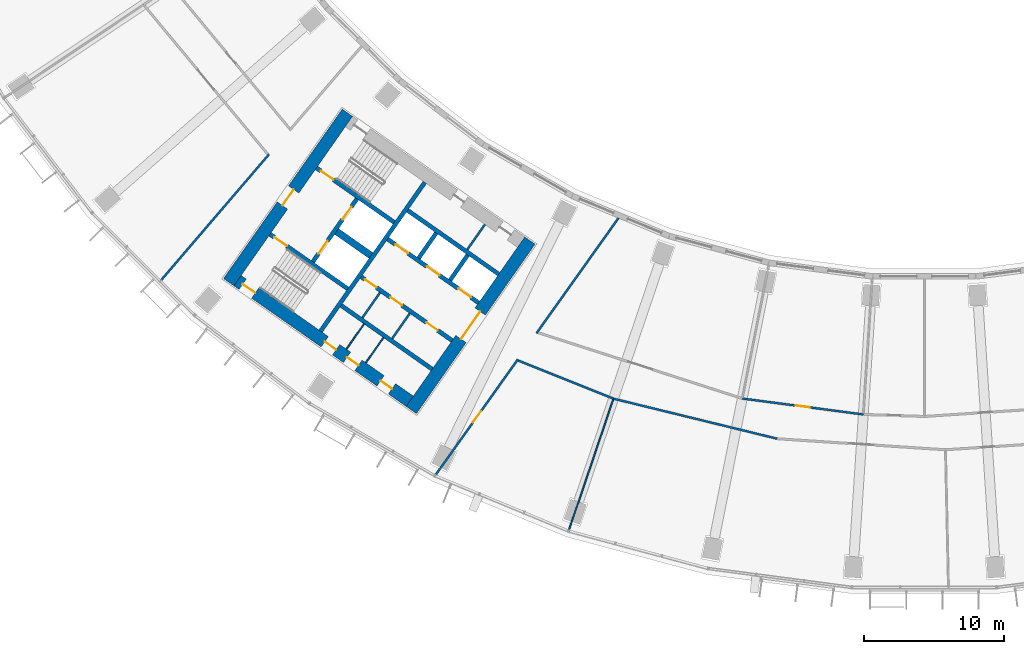
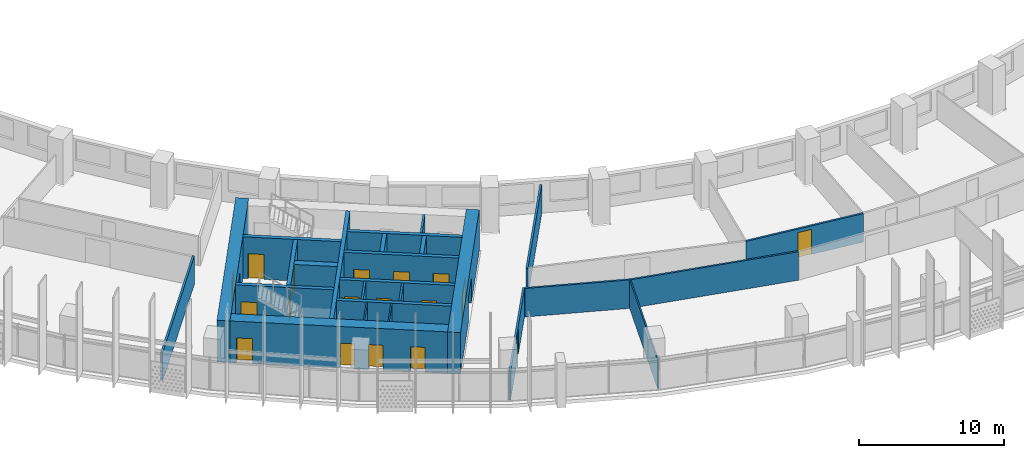
# One storey, part 3 of 33: 26 walls, 18 doors, 18 openings.
"""IFC4 building model written with IfcOpenShell, lengths in metres."""

from ifc_helpers import new_model, si_unit, direction, frame, frame_2d, origin, place, context, subcontext, project, spatial, rectangle, extrude, material, layer, layer_set, type_object, element, fill, save


model = new_model("IFC4")

# Units and contexts
model_context = context("Model", 3, precision=1e-05, world=origin(), true_north=direction((0.0, 1.0)))
body_context = subcontext(model_context, "Body", "Model", "MODEL_VIEW")
ifc_project = project(units=[si_unit("LENGTHUNIT", "METRE"), si_unit("AREAUNIT", "SQUARE_METRE"), si_unit("VOLUMEUNIT", "CUBIC_METRE"), si_unit("PLANEANGLEUNIT", "RADIAN"), si_unit("MASSUNIT", "GRAM", prefix="KILO")], contexts=[model_context])

# Site, building, storey
site_placement = place(None, origin())
site = spatial("IfcSite", under=ifc_project, at=site_placement, CompositionType="ELEMENT")
building_placement = place(site_placement, origin())
building = spatial("IfcBuilding", under=site, at=building_placement, Name="Qamariyya Broadcast Tower", CompositionType="ELEMENT")
storey_placement = place(building_placement, frame((0.0, 0.0, 94.89990234375)))
storey = spatial("IfcBuildingStorey", under=building, at=storey_placement, Name="L20", CompositionType="ELEMENT", Elevation=94.89990234375)

# Wall, opening, door
ifc_material_1 = material(Name="Concrete C70/85", Category="concrete")
ifc_layer_1 = layer(ifc_material_1, 0.89990234375)
ifc_layer_set_1 = layer_set([ifc_layer_1], Name="Core wall 900 mm Concrete C70/85")
wall_type_1 = type_object("IfcWallType", Name="Core wall 900 mm Concrete C70/85", PredefinedType="SHEAR", material=ifc_layer_set_1)
wall_1_placement = place(storey_placement, frame((-36.716796875, -66.3369140625, 0.0), z_axis=(0.0, 0.0, 1.0), x_axis=(0.573577477574, 0.819151315216, 0.0)))
wall_1 = element("IfcWall", 1, at=wall_1_placement, inside=storey, type_object=wall_type_1, Name="k-W-L20-WA", PredefinedType="SHEAR", context=body_context, shape_type="SweptSolid", body=[
    extrude(rectangle(XDim=14.800048828125, YDim=0.89990234375, at=frame_2d((7.39990234375, 0.0))), origin(), (0.0, 0.0, 1.0), 3.5),
])
opening_1_placement = place(wall_1_placement, frame((6.199951171875, 0.0, 0.0)))
opening_1 = element("IfcOpeningElement", 2, at=opening_1_placement, cuts=wall_1, Name="Opening KD3-W1", PredefinedType="OPENING", context=body_context, shape_type="SweptSolid", body=[
    extrude(rectangle(XDim=2.39990234375, YDim=2.10009765625, at=frame_2d((1.199951171875, 1.050048828125))), frame((0.0, 0.4599609375, 0.0), z_axis=(0.0, -1.0, 0.0), x_axis=(1.0, 0.0, 0.0)), (0.0, 0.0, 1.0), 0.919921875),
])
ifc_material_2 = material(Name="Steel fire-resisting door leaf", Category="steel")
door_type_1 = type_object("IfcDoorType", Name="Lift lobby door KD3", OperationType="DOUBLE_DOOR_SINGLE_SWING", PredefinedType="DOOR", material=ifc_material_2)
door_1_placement = place(opening_1_placement, origin())
door_1 = element("IfcDoor", 3, at=door_1_placement, inside=storey, type_object=door_type_1, Name="k-W-L20-WA-D1", OperationType="DOUBLE_DOOR_SINGLE_SWING", OverallHeight=2.10009765625, OverallWidth=2.39990234375, PredefinedType="DOOR", context=body_context, shape_type="SweptSolid", body=[
    extrude(rectangle(XDim=2.39990234375, YDim=2.10009765625, at=frame_2d((1.199951171875, 1.050048828125))), frame((0.0, 0.02490234375, 0.0), z_axis=(0.0, -1.0, 0.0), x_axis=(1.0, 0.0, 0.0)), (0.0, 0.0, 1.0), 0.050048828125),
])
fill(opening_1, door_1)

wall_2_placement = place(storey_placement, frame((-49.778564453125, -57.191162109375, 0.0), z_axis=(0.0, 0.0, 1.0), x_axis=(0.573577477574, 0.819151315216, 0.0)))
wall_2 = element("IfcWall", 4, at=wall_2_placement, inside=storey, type_object=wall_type_1, Name="k-W-L20-WH", PredefinedType="SHEAR", context=body_context, shape_type="SweptSolid", body=[
    extrude(rectangle(XDim=14.800048828125, YDim=0.89990234375, at=frame_2d((7.39990234375, 0.0))), origin(), (0.0, 0.0, 1.0), 3.5),
])
opening_2_placement = place(wall_2_placement, frame((6.699951171875, 0.0, 0.0)))
opening_2 = element("IfcOpeningElement", 5, at=opening_2_placement, cuts=wall_2, Name="Opening KD2-W1", PredefinedType="OPENING", context=body_context, shape_type="SweptSolid", body=[
    extrude(rectangle(XDim=1.39990234375, YDim=2.10009765625, at=frame_2d((0.699951171875, 1.050048828125))), frame((0.0, 0.4599609375, 0.0), z_axis=(0.0, -1.0, 0.0), x_axis=(1.0, 0.0, 0.0)), (0.0, 0.0, 1.0), 0.919921875),
])
door_type_2 = type_object("IfcDoorType", Name="Fire-fighting lobby door KD2", OperationType="DOUBLE_DOOR_SINGLE_SWING", PredefinedType="DOOR", material=ifc_material_2)
door_2_placement = place(opening_2_placement, origin())
door_2 = element("IfcDoor", 6, at=door_2_placement, inside=storey, type_object=door_type_2, Name="k-W-L20-WH-D15", OperationType="DOUBLE_DOOR_SINGLE_SWING", OverallHeight=2.10009765625, OverallWidth=1.39990234375, PredefinedType="DOOR", context=body_context, shape_type="SweptSolid", body=[
    extrude(rectangle(XDim=1.39990234375, YDim=2.10009765625, at=frame_2d((0.699951171875, 1.050048828125))), frame((0.0, 0.02490234375, 0.0), z_axis=(0.0, -1.0, 0.0), x_axis=(1.0, 0.0, 0.0)), (0.0, 0.0, 1.0), 0.050048828125),
])
fill(opening_2, door_2)

# Wall, openings, doors
wall_3_placement = place(storey_placement, frame((-36.827392578125, -65.710205078125, 0.0), z_axis=(0.0, 0.0, 1.0), x_axis=(-0.819153391756, 0.573574511963, 0.0)))
wall_3 = element("IfcWall", 7, at=wall_3_placement, inside=storey, type_object=wall_type_1, Name="k-W-L20-WO", PredefinedType="SHEAR", context=body_context, shape_type="SweptSolid", body=[
    extrude(rectangle(XDim=15.04541015625, YDim=0.89990234375, at=frame_2d((7.522705078125, 0.0))), origin(), (0.0, 0.0, 1.0), 3.5),
])
opening_3_placement = place(wall_3_placement, frame((1.550048828125, 0.0, 0.0)))
opening_3 = element("IfcOpeningElement", 8, at=opening_3_placement, cuts=wall_3, Name="Opening KD4-W2", PredefinedType="OPENING", context=body_context, shape_type="SweptSolid", body=[
    extrude(rectangle(XDim=1.0, YDim=2.10009765625, at=frame_2d((0.5, 1.050048828125))), frame((0.0, 0.4599609375, 0.0), z_axis=(0.0, -1.0, 0.0), x_axis=(1.0, 0.0, 0.0)), (0.0, 0.0, 1.0), 0.919921875),
])
opening_4_placement = place(wall_3_placement, frame((4.47509765625, 0.0, 0.0)))
opening_4 = element("IfcOpeningElement", 9, at=opening_4_placement, cuts=wall_3, Name="Opening KD4-W3", PredefinedType="OPENING", context=body_context, shape_type="SweptSolid", body=[
    extrude(rectangle(XDim=1.0, YDim=2.10009765625, at=frame_2d((0.5, 1.050048828125))), frame((0.0, 0.4599609375, 0.0), z_axis=(0.0, -1.0, 0.0), x_axis=(1.0, 0.0, 0.0)), (0.0, 0.0, 1.0), 0.919921875),
])
opening_5_placement = place(wall_3_placement, frame((6.425048828125, 0.0, 0.0)))
opening_5 = element("IfcOpeningElement", 10, at=opening_5_placement, cuts=wall_3, Name="Opening KD4-W4", PredefinedType="OPENING", context=body_context, shape_type="SweptSolid", body=[
    extrude(rectangle(XDim=1.0, YDim=2.10009765625, at=frame_2d((0.5, 1.050048828125))), frame((0.0, 0.4599609375, 0.0), z_axis=(0.0, -1.0, 0.0), x_axis=(1.0, 0.0, 0.0)), (0.0, 0.0, 1.0), 0.919921875),
])
opening_6_placement = place(wall_3_placement, frame((13.495361328125, 0.0, 0.0)))
opening_6 = element("IfcOpeningElement", 11, at=opening_6_placement, cuts=wall_3, Name="Opening KD1-W3", PredefinedType="OPENING", context=body_context, shape_type="SweptSolid", body=[
    extrude(rectangle(XDim=1.10009765625, YDim=2.10009765625, at=frame_2d((0.550048828125, 1.050048828125))), frame((0.0, 0.4599609375, 0.0), z_axis=(0.0, -1.0, 0.0), x_axis=(1.0, 0.0, 0.0)), (0.0, 0.0, 1.0), 0.919921875),
])
door_type_3 = type_object("IfcDoorType", Name="Riser and plant door KD4", OperationType="SINGLE_SWING_LEFT", PredefinedType="DOOR", material=ifc_material_2)
door_3_placement = place(opening_3_placement, origin())
door_3 = element("IfcDoor", 12, at=door_3_placement, inside=storey, type_object=door_type_3, Name="k-W-L20-WO-D10", OperationType="SINGLE_SWING_LEFT", OverallHeight=2.10009765625, OverallWidth=1.0, PredefinedType="DOOR", context=body_context, shape_type="SweptSolid", body=[
    extrude(rectangle(XDim=1.0, YDim=2.10009765625, at=frame_2d((0.5, 1.050048828125))), frame((0.0, 0.02490234375, 0.0), z_axis=(0.0, -1.0, 0.0), x_axis=(1.0, 0.0, 0.0)), (0.0, 0.0, 1.0), 0.050048828125),
])
fill(opening_3, door_3)
door_4_placement = place(opening_4_placement, origin())
door_4 = element("IfcDoor", 13, at=door_4_placement, inside=storey, type_object=door_type_3, Name="k-W-L20-WO-D11", OperationType="SINGLE_SWING_RIGHT", OverallHeight=2.10009765625, OverallWidth=1.0, PredefinedType="DOOR", context=body_context, shape_type="SweptSolid", body=[
    extrude(rectangle(XDim=1.0, YDim=2.10009765625, at=frame_2d((0.5, 1.050048828125))), frame((0.0, 0.02490234375, 0.0), z_axis=(0.0, -1.0, 0.0), x_axis=(1.0, 0.0, 0.0)), (0.0, 0.0, 1.0), 0.050048828125),
])
fill(opening_4, door_4)
door_5_placement = place(opening_5_placement, origin())
door_5 = element("IfcDoor", 14, at=door_5_placement, inside=storey, type_object=door_type_3, Name="k-W-L20-WO-D12", OperationType="SINGLE_SWING_LEFT", OverallHeight=2.10009765625, OverallWidth=1.0, PredefinedType="DOOR", context=body_context, shape_type="SweptSolid", body=[
    extrude(rectangle(XDim=1.0, YDim=2.10009765625, at=frame_2d((0.5, 1.050048828125))), frame((0.0, 0.02490234375, 0.0), z_axis=(0.0, -1.0, 0.0), x_axis=(1.0, 0.0, 0.0)), (0.0, 0.0, 1.0), 0.050048828125),
])
fill(opening_5, door_5)
door_type_4 = type_object("IfcDoorType", Name="Stair door KD1", OperationType="SINGLE_SWING_LEFT", PredefinedType="DOOR", material=ifc_material_2)
door_6_placement = place(opening_6_placement, origin())
door_6 = element("IfcDoor", 15, at=door_6_placement, inside=storey, type_object=door_type_4, Name="k-W-L20-WO-D18", OperationType="SINGLE_SWING_LEFT", OverallHeight=2.10009765625, OverallWidth=1.10009765625, PredefinedType="DOOR", context=body_context, shape_type="SweptSolid", body=[
    extrude(rectangle(XDim=1.10009765625, YDim=2.10009765625, at=frame_2d((0.550048828125, 1.050048828125))), frame((0.0, 0.02490234375, 0.0), z_axis=(0.0, -1.0, 0.0), x_axis=(1.0, 0.0, 0.0)), (0.0, 0.0, 1.0), 0.050048828125),
])
fill(opening_6, door_6)

# Wall
ifc_material_3 = material(Name="Gypsum board partition")
ifc_layer_2 = layer(ifc_material_3, 0.14990234375)
ifc_layer_set_2 = layer_set([ifc_layer_2], Name="Corridor partition 150 EI 60")
wall_type_2 = type_object("IfcWallType", Name="Corridor partition 150 EI 60", PredefinedType="PARTITIONING", material=ifc_layer_set_2)
wall_4_placement = place(storey_placement, frame((-46.889892578125, -48.03271484375, 0.0), z_axis=(0.0, 0.0, 1.0), x_axis=(-0.650984855328, -0.759090717986, 0.0)))
element("IfcWall", 16, at=wall_4_placement, inside=storey, type_object=wall_type_2, Name="Partition L20-005", PredefinedType="PARTITIONING", context=body_context, shape_type="SweptSolid", body=[
    extrude(rectangle(XDim=11.844970703125, YDim=0.14990234375, at=frame_2d((5.92236328125, 0.0))), origin(), (0.0, 0.0, 1.0), 2.400146484375),
])

# Wall, opening, door
wall_5_placement = place(storey_placement, frame((-29.083984375, -62.710205078125, 0.0), z_axis=(0.0, 0.0, 1.0), x_axis=(-0.580031092611, -0.814594335608, 0.0)))
wall_5 = element("IfcWall", 17, at=wall_5_placement, inside=storey, type_object=wall_type_2, Name="Partition L20-008", PredefinedType="PARTITIONING", context=body_context, shape_type="SweptSolid", body=[
    extrude(rectangle(XDim=10.126220703125, YDim=0.14990234375, at=frame_2d((5.06298828125, 0.0))), origin(), (0.0, 0.0, 1.0), 2.400146484375),
])
opening_7_placement = place(wall_5_placement, frame((4.563232421875, 0.0, 0.0)))
opening_7 = element("IfcOpeningElement", 18, at=opening_7_placement, cuts=wall_5, Name="Opening L20-D01", PredefinedType="OPENING", context=body_context, shape_type="SweptSolid", body=[
    extrude(rectangle(XDim=1.0, YDim=2.10009765625, at=frame_2d((0.5, 1.050048828125))), frame((0.0, 0.0849609375, 0.0), z_axis=(0.0, -1.0, 0.0), x_axis=(1.0, 0.0, 0.0)), (0.0, 0.0, 1.0), 0.169921875),
])
ifc_material_4 = material(Name="Timber fire door leaf", Category="wood")
door_type_5 = type_object("IfcDoorType", Name="Fire door 1000 x 2100 FD60", OperationType="NOTDEFINED", PredefinedType="DOOR", material=ifc_material_4)
door_7_placement = place(opening_7_placement, origin())
door_7 = element("IfcDoor", 19, at=door_7_placement, inside=storey, type_object=door_type_5, Name="Door L20-D01", OperationType="SINGLE_SWING_RIGHT", OverallHeight=2.10009765625, OverallWidth=1.0, PredefinedType="DOOR", context=body_context, shape_type="SweptSolid", body=[
    extrude(rectangle(XDim=1.0, YDim=2.10009765625, at=frame_2d((0.5, 1.050048828125))), frame((0.0, 0.02490234375, 0.0), z_axis=(0.0, -1.0, 0.0), x_axis=(1.0, 0.0, 0.0)), (0.0, 0.0, 1.0), 0.050048828125),
])
fill(opening_7, door_7)

# Walls
wall_6_placement = place(storey_placement, frame((-29.057861328125, -62.799072265625, 0.0), z_axis=(0.0, 0.0, 1.0), x_axis=(0.92834358791, -0.371723261025, 0.0)))
element("IfcWall", 20, at=wall_6_placement, inside=storey, type_object=wall_type_2, Name="Partition L20-009", PredefinedType="PARTITIONING", context=body_context, shape_type="SweptSolid", body=[
    extrude(rectangle(XDim=7.340087890625, YDim=0.14990234375, at=frame_2d((3.669921875, 0.0))), origin(), (0.0, 0.0, 1.0), 2.400146484375),
])
wall_7_placement = place(storey_placement, frame((-22.24365234375, -65.527587890625, 0.0), z_axis=(0.0, 0.0, 1.0), x_axis=(0.971338849689, -0.237699051504, 0.0)))
element("IfcWall", 21, at=wall_7_placement, inside=storey, type_object=wall_type_2, Name="Partition L20-012", PredefinedType="PARTITIONING", context=body_context, shape_type="SweptSolid", body=[
    extrude(rectangle(XDim=12.051025390625, YDim=0.14990234375, at=frame_2d((6.025390625, 0.0))), origin(), (0.0, 0.0, 1.0), 2.400146484375),
])
wall_8_placement = place(storey_placement, frame((-21.8837890625, -52.59765625, 0.0), z_axis=(0.0, 0.0, 1.0), x_axis=(-0.580016763963, -0.814604538118, 0.0)))
element("IfcWall", 22, at=wall_8_placement, inside=storey, type_object=wall_type_2, Name="Partition L20-013", PredefinedType="PARTITIONING", context=body_context, shape_type="SweptSolid", body=[
    extrude(rectangle(XDim=10.12109375, YDim=0.14990234375, at=frame_2d((5.060546875, 0.0))), origin(), (0.0, 0.0, 1.0), 2.400146484375),
])

# Wall, opening, door
wall_9_placement = place(storey_placement, frame((-13.031982421875, -65.516357421875, 0.0), z_axis=(0.0, 0.0, 1.0), x_axis=(0.991443260322, -0.130538352841, 0.0)))
wall_9 = element("IfcWall", 23, at=wall_9_placement, inside=storey, type_object=wall_type_2, Name="Partition L20-014", PredefinedType="PARTITIONING", context=body_context, shape_type="SweptSolid", body=[
    extrude(rectangle(XDim=8.73779296875, YDim=0.14990234375, at=frame_2d((4.368896484375, 0.0))), origin(), (0.0, 0.0, 1.0), 2.400146484375),
])
opening_8_placement = place(wall_9_placement, frame((3.868896484375, 0.0, 0.0)))
opening_8 = element("IfcOpeningElement", 24, at=opening_8_placement, cuts=wall_9, Name="Opening L20-D07", PredefinedType="OPENING", context=body_context, shape_type="SweptSolid", body=[
    extrude(rectangle(XDim=1.0, YDim=2.10009765625, at=frame_2d((0.5, 1.050048828125))), frame((0.0, 0.0849609375, 0.0), z_axis=(0.0, -1.0, 0.0), x_axis=(1.0, 0.0, 0.0)), (0.0, 0.0, 1.0), 0.169921875),
])
door_8_placement = place(opening_8_placement, origin())
door_8 = element("IfcDoor", 25, at=door_8_placement, inside=storey, type_object=door_type_5, Name="Door L20-D07", OperationType="SINGLE_SWING_RIGHT", OverallHeight=2.10009765625, OverallWidth=1.0, PredefinedType="DOOR", context=body_context, shape_type="SweptSolid", body=[
    extrude(rectangle(XDim=1.0, YDim=2.10009765625, at=frame_2d((0.5, 1.050048828125))), frame((0.0, 0.02490234375, 0.0), z_axis=(0.0, -1.0, 0.0), x_axis=(1.0, 0.0, 0.0)), (0.0, 0.0, 1.0), 0.050048828125),
])
fill(opening_8, door_8)

# Walls
ifc_material_5 = material(Name="Concrete C60/75", Category="concrete")
ifc_layer_3 = layer(ifc_material_5, 0.5)
ifc_layer_set_3 = layer_set([ifc_layer_3], Name="Fire-fighting lobby divider wall 500 mm Concrete C60/75")
wall_type_3 = type_object("IfcWallType", Name="Fire-fighting lobby divider wall 500 mm Concrete C60/75", PredefinedType="SOLIDWALL", material=ifc_layer_set_3)
wall_10_placement = place(storey_placement, frame((-39.59912109375, -55.28515625, 0.0), z_axis=(0.0, 0.0, 1.0), x_axis=(-0.819136323161, 0.573598887793, 0.0)))
element("IfcWall", 26, at=wall_10_placement, inside=storey, type_object=wall_type_3, Name="k-W-L20-FD", PredefinedType="SOLIDWALL", context=body_context, shape_type="SweptSolid", body=[
    extrude(rectangle(XDim=2.999755859375, YDim=0.5, at=frame_2d((1.5, 0.0))), origin(), (0.0, 0.0, 1.0), 3.5),
])
ifc_material_6 = material(Name="Gypsum board partition on steel studs", Category="steel")
ifc_layer_4 = layer(ifc_material_6, 0.14990234375)
ifc_layer_set_4 = layer_set([ifc_layer_4], Name="Gypsum board partition 150 mm")
wall_type_4 = type_object("IfcWallType", Name="Gypsum board partition 150 mm", PredefinedType="PARTITIONING", material=ifc_layer_set_4)
for number, where, z_axis, x_axis, name in (
    (27, (-36.822509765625, -59.4267578125, 0.0), (0.0, 0.0, 1.0), (-0.573507030513, -0.819200638399, 0.0), "k-W-L20-SC360"),
    (28, (-38.9521484375, -57.935546875, 0.0), (0.0, 0.0, 1.0), (-0.573633636671, -0.819111989218, 0.0), "k-W-L20-SC620"),
    (29, (-32.709228515625, -54.860107421875, 0.0), (0.0, 0.0, 1.0), (0.573633636671, 0.819111989218, 0.0), "k-W-L20-NP285"),
):
    element("IfcWall", number, at=place(storey_placement, frame(where, z_axis=z_axis, x_axis=x_axis)), inside=storey, type_object=wall_type_4, Name=name, PredefinedType="PARTITIONING", context=body_context, shape_type="SweptSolid", body=[
        extrude(rectangle(XDim=2.199951171875, YDim=0.14990234375, at=frame_2d((1.10009765625, 0.0))), origin(), (0.0, 0.0, 1.0), 3.5),
    ])
ifc_layer_5 = layer(ifc_material_5, 0.300048828125)
ifc_layer_set_5 = layer_set([ifc_layer_5], Name="Lift shaft wall 300 mm Concrete C60/75")
wall_type_5 = type_object("IfcWallType", Name="Lift shaft wall 300 mm Concrete C60/75", PredefinedType="SOLIDWALL", material=ifc_layer_set_5)
wall_11_placement = place(storey_placement, frame((-43.204345703125, -60.69580078125, 0.0), z_axis=(0.0, 0.0, 1.0), x_axis=(0.573571992966, 0.819155155563, 0.0)))
element("IfcWall", 30, at=wall_11_placement, inside=storey, type_object=wall_type_5, Name="k-W-L20-WL", PredefinedType="SOLIDWALL", context=body_context, shape_type="SweptSolid", body=[
    extrude(rectangle(XDim=13.000244140625, YDim=0.300048828125, at=frame_2d((6.5, 0.0))), origin(), (0.0, 0.0, 1.0), 3.5),
])

# Wall, openings, doors
wall_12_placement = place(storey_placement, frame((-31.89453125, -58.66552734375, 0.0), z_axis=(0.0, 0.0, 1.0), x_axis=(-0.819166993208, 0.573555086491, 0.0)))
wall_12 = element("IfcWall", 31, at=wall_12_placement, inside=storey, type_object=wall_type_5, Name="k-W-L20-NF0", PredefinedType="SOLIDWALL", context=body_context, shape_type="SweptSolid", body=[
    extrude(rectangle(XDim=7.9501953125, YDim=0.300048828125, at=frame_2d((3.97509765625, 0.0))), origin(), (0.0, 0.0, 1.0), 3.5),
])
opening_9_placement = place(wall_12_placement, frame((0.675048828125, 0.0, 0.0)))
opening_9 = element("IfcOpeningElement", 32, at=opening_9_placement, cuts=wall_12, Name="Opening LD", PredefinedType="OPENING", context=body_context, shape_type="SweptSolid", body=[
    extrude(rectangle(XDim=1.10009765625, YDim=2.10009765625, at=frame_2d((0.550048828125, 1.050048828125))), frame((0.0, 0.159912109375, 0.0), z_axis=(0.0, -1.0, 0.0), x_axis=(1.0, 0.0, 0.0)), (0.0, 0.0, 1.0), 0.320068359375),
])
opening_10_placement = place(wall_12_placement, frame((3.425048828125, 0.0, 0.0)))
opening_10 = element("IfcOpeningElement", 33, at=opening_10_placement, cuts=wall_12, Name="Opening LD", PredefinedType="OPENING", context=body_context, shape_type="SweptSolid", body=[
    extrude(rectangle(XDim=1.10009765625, YDim=2.10009765625, at=frame_2d((0.550048828125, 1.050048828125))), frame((0.0, 0.159912109375, 0.0), z_axis=(0.0, -1.0, 0.0), x_axis=(1.0, 0.0, 0.0)), (0.0, 0.0, 1.0), 0.320068359375),
])
opening_11_placement = place(wall_12_placement, frame((6.175048828125, 0.0, 0.0)))
opening_11 = element("IfcOpeningElement", 34, at=opening_11_placement, cuts=wall_12, Name="Opening LD", PredefinedType="OPENING", context=body_context, shape_type="SweptSolid", body=[
    extrude(rectangle(XDim=1.10009765625, YDim=2.10009765625, at=frame_2d((0.550048828125, 1.050048828125))), frame((0.0, 0.159912109375, 0.0), z_axis=(0.0, -1.0, 0.0), x_axis=(1.0, 0.0, 0.0)), (0.0, 0.0, 1.0), 0.320068359375),
])
door_type_6 = type_object("IfcDoorType", Name="Lift landing door LD", OperationType="DOUBLE_DOOR_SLIDING", PredefinedType="DOOR", material=ifc_material_2)
door_9_placement = place(opening_9_placement, origin())
door_9 = element("IfcDoor", 35, at=door_9_placement, inside=storey, type_object=door_type_6, Name="k-W-L20-NF0-D2", OperationType="DOUBLE_DOOR_SLIDING", OverallHeight=2.10009765625, OverallWidth=1.10009765625, PredefinedType="DOOR", context=body_context, shape_type="SweptSolid", body=[
    extrude(rectangle(XDim=1.10009765625, YDim=2.10009765625, at=frame_2d((0.550048828125, 1.050048828125))), frame((0.0, 0.02490234375, 0.0), z_axis=(0.0, -1.0, 0.0), x_axis=(1.0, 0.0, 0.0)), (0.0, 0.0, 1.0), 0.050048828125),
])
fill(opening_9, door_9)
door_10_placement = place(opening_10_placement, origin())
door_10 = element("IfcDoor", 36, at=door_10_placement, inside=storey, type_object=door_type_6, Name="k-W-L20-NF0-D3", OperationType="DOUBLE_DOOR_SLIDING", OverallHeight=2.10009765625, OverallWidth=1.10009765625, PredefinedType="DOOR", context=body_context, shape_type="SweptSolid", body=[
    extrude(rectangle(XDim=1.10009765625, YDim=2.10009765625, at=frame_2d((0.550048828125, 1.050048828125))), frame((0.0, 0.02490234375, 0.0), z_axis=(0.0, -1.0, 0.0), x_axis=(1.0, 0.0, 0.0)), (0.0, 0.0, 1.0), 0.050048828125),
])
fill(opening_10, door_10)
door_11_placement = place(opening_11_placement, origin())
door_11 = element("IfcDoor", 37, at=door_11_placement, inside=storey, type_object=door_type_6, Name="k-W-L20-NF0-D4", OperationType="DOUBLE_DOOR_SLIDING", OverallHeight=2.10009765625, OverallWidth=1.10009765625, PredefinedType="DOOR", context=body_context, shape_type="SweptSolid", body=[
    extrude(rectangle(XDim=1.10009765625, YDim=2.10009765625, at=frame_2d((0.550048828125, 1.050048828125))), frame((0.0, 0.02490234375, 0.0), z_axis=(0.0, -1.0, 0.0), x_axis=(1.0, 0.0, 0.0)), (0.0, 0.0, 1.0), 0.050048828125),
])
fill(opening_11, door_11)

# Walls
wall_13_placement = place(storey_placement, frame((-30.460693359375, -56.61767578125, 0.0), z_axis=(0.0, 0.0, 1.0), x_axis=(-0.819142461705, 0.573590121456, 0.0)))
element("IfcWall", 38, at=wall_13_placement, inside=storey, type_object=wall_type_5, Name="k-W-L20-NB0", PredefinedType="SOLIDWALL", context=body_context, shape_type="SweptSolid", body=[
    extrude(rectangle(XDim=7.949951171875, YDim=0.300048828125, at=frame_2d((3.97509765625, 0.0))), origin(), (0.0, 0.0, 1.0), 3.5),
])
wall_14_placement = place(storey_placement, frame((-33.9384765625, -57.051513671875, 0.0), z_axis=(0.0, 0.0, 1.0), x_axis=(0.573581496053, 0.819148501424, 0.0)))
element("IfcWall", 39, at=wall_14_placement, inside=storey, type_object=wall_type_5, Name="k-W-L20-ND0", PredefinedType="SOLIDWALL", context=body_context, shape_type="SweptSolid", body=[
    extrude(rectangle(XDim=2.2001953125, YDim=0.300048828125, at=frame_2d((1.10009765625, 0.0))), origin(), (0.0, 0.0, 1.0), 3.5),
])
wall_15_placement = place(storey_placement, frame((-36.19091796875, -55.47412109375, 0.0), z_axis=(0.0, 0.0, 1.0), x_axis=(0.573507030513, 0.819200638399, 0.0)))
element("IfcWall", 40, at=wall_15_placement, inside=storey, type_object=wall_type_5, Name="k-W-L20-ND1", PredefinedType="SOLIDWALL", context=body_context, shape_type="SweptSolid", body=[
    extrude(rectangle(XDim=2.199951171875, YDim=0.300048828125, at=frame_2d((1.10009765625, 0.0))), origin(), (0.0, 0.0, 1.0), 3.5),
])

# Wall, openings, doors
wall_16_placement = place(storey_placement, frame((-33.787353515625, -61.368896484375, 0.0), z_axis=(0.0, 0.0, 1.0), x_axis=(-0.819152564888, 0.573575692858, 0.0)))
wall_16 = element("IfcWall", 41, at=wall_16_placement, inside=storey, type_object=wall_type_5, Name="k-W-L20-SF0", PredefinedType="SOLIDWALL", context=body_context, shape_type="SweptSolid", body=[
    extrude(rectangle(XDim=7.9501953125, YDim=0.300048828125, at=frame_2d((3.97509765625, 0.0))), origin(), (0.0, 0.0, 1.0), 3.5),
])
opening_12_placement = place(wall_16_placement, frame((1.262451171875, 0.0, 0.0)))
opening_12 = element("IfcOpeningElement", 42, at=opening_12_placement, cuts=wall_16, Name="Opening KD6-W1", PredefinedType="OPENING", context=body_context, shape_type="SweptSolid", body=[
    extrude(rectangle(XDim=1.0, YDim=2.10009765625, at=frame_2d((0.5, 1.050048828125))), frame((0.0, 0.159912109375, 0.0), z_axis=(0.0, -1.0, 0.0), x_axis=(1.0, 0.0, 0.0)), (0.0, 0.0, 1.0), 0.320068359375),
])
opening_13_placement = place(wall_16_placement, frame((4.39990234375, 0.0, 0.0)))
opening_13 = element("IfcOpeningElement", 43, at=opening_13_placement, cuts=wall_16, Name="Opening KD4-W1", PredefinedType="OPENING", context=body_context, shape_type="SweptSolid", body=[
    extrude(rectangle(XDim=1.0, YDim=2.10009765625, at=frame_2d((0.5, 1.050048828125))), frame((0.0, 0.159912109375, 0.0), z_axis=(0.0, -1.0, 0.0), x_axis=(1.0, 0.0, 0.0)), (0.0, 0.0, 1.0), 0.320068359375),
])
opening_14_placement = place(wall_16_placement, frame((6.612548828125, 0.0, 0.0)))
opening_14 = element("IfcOpeningElement", 44, at=opening_14_placement, cuts=wall_16, Name="Opening KD6-W2", PredefinedType="OPENING", context=body_context, shape_type="SweptSolid", body=[
    extrude(rectangle(XDim=1.0, YDim=2.10009765625, at=frame_2d((0.5, 1.050048828125))), frame((0.0, 0.159912109375, 0.0), z_axis=(0.0, -1.0, 0.0), x_axis=(1.0, 0.0, 0.0)), (0.0, 0.0, 1.0), 0.320068359375),
])
door_type_7 = type_object("IfcDoorType", Name="Core room door KD6", OperationType="SINGLE_SWING_LEFT", PredefinedType="DOOR", material=ifc_material_2)
door_12_placement = place(opening_12_placement, origin())
door_12 = element("IfcDoor", 45, at=door_12_placement, inside=storey, type_object=door_type_7, Name="k-W-L20-SF0-D5", OperationType="SINGLE_SWING_RIGHT", OverallHeight=2.10009765625, OverallWidth=1.0, PredefinedType="DOOR", context=body_context, shape_type="SweptSolid", body=[
    extrude(rectangle(XDim=1.0, YDim=2.10009765625, at=frame_2d((0.5, 1.050048828125))), frame((0.0, 0.02490234375, 0.0), z_axis=(0.0, -1.0, 0.0), x_axis=(1.0, 0.0, 0.0)), (0.0, 0.0, 1.0), 0.050048828125),
])
fill(opening_12, door_12)
door_13_placement = place(opening_14_placement, origin())
door_13 = element("IfcDoor", 46, at=door_13_placement, inside=storey, type_object=door_type_7, Name="k-W-L20-SF0-D7", OperationType="SINGLE_SWING_RIGHT", OverallHeight=2.10009765625, OverallWidth=1.0, PredefinedType="DOOR", context=body_context, shape_type="SweptSolid", body=[
    extrude(rectangle(XDim=1.0, YDim=2.10009765625, at=frame_2d((0.5, 1.050048828125))), frame((0.0, 0.02490234375, 0.0), z_axis=(0.0, -1.0, 0.0), x_axis=(1.0, 0.0, 0.0)), (0.0, 0.0, 1.0), 0.050048828125),
])
fill(opening_14, door_13)
door_14_placement = place(opening_13_placement, origin())
door_14 = element("IfcDoor", 47, at=door_14_placement, inside=storey, type_object=door_type_3, Name="k-W-L20-SF0-D6", OperationType="SINGLE_SWING_LEFT", OverallHeight=2.10009765625, OverallWidth=1.0, PredefinedType="DOOR", context=body_context, shape_type="SweptSolid", body=[
    extrude(rectangle(XDim=1.0, YDim=2.10009765625, at=frame_2d((0.5, 1.050048828125))), frame((0.0, 0.02490234375, 0.0), z_axis=(0.0, -1.0, 0.0), x_axis=(1.0, 0.0, 0.0)), (0.0, 0.0, 1.0), 0.050048828125),
])
fill(opening_13, door_14)

# Wall
wall_17_placement = place(storey_placement, frame((-35.22119140625, -63.41650390625, 0.0), z_axis=(0.0, 0.0, 1.0), x_axis=(-0.819166993208, 0.573555086491, 0.0)))
element("IfcWall", 48, at=wall_17_placement, inside=storey, type_object=wall_type_5, Name="k-W-L20-SB0", PredefinedType="SOLIDWALL", context=body_context, shape_type="SweptSolid", body=[
    extrude(rectangle(XDim=7.9501953125, YDim=0.300048828125, at=frame_2d((3.97509765625, 0.0))), origin(), (0.0, 0.0, 1.0), 3.5),
])

# Wall, opening, door
wall_18_placement = place(storey_placement, frame((-37.935546875, -52.90966796875, 0.0), z_axis=(0.0, 0.0, 1.0), x_axis=(-0.819147518138, 0.57358290031, 0.0)))
wall_18 = element("IfcWall", 49, at=wall_18_placement, inside=storey, type_object=wall_type_5, Name="k-W-L20-NW", PredefinedType="SOLIDWALL", context=body_context, shape_type="SweptSolid", body=[
    extrude(rectangle(XDim=6.79541015625, YDim=0.300048828125, at=frame_2d((3.397705078125, 0.0))), origin(), (0.0, 0.0, 1.0), 3.5),
])
opening_15_placement = place(wall_18_placement, frame((5.3203125, 0.0, 0.0)))
opening_15 = element("IfcOpeningElement", 50, at=opening_15_placement, cuts=wall_18, Name="Opening KD1-W2", PredefinedType="OPENING", context=body_context, shape_type="SweptSolid", body=[
    extrude(rectangle(XDim=1.10009765625, YDim=2.10009765625, at=frame_2d((0.550048828125, 1.050048828125))), frame((0.0, 0.159912109375, 0.0), z_axis=(0.0, -1.0, 0.0), x_axis=(1.0, 0.0, 0.0)), (0.0, 0.0, 1.0), 0.320068359375),
])
door_15_placement = place(opening_15_placement, origin())
door_15 = element("IfcDoor", 51, at=door_15_placement, inside=storey, type_object=door_type_4, Name="k-W-L20-NW-D17", OperationType="SINGLE_SWING_RIGHT", OverallHeight=2.10009765625, OverallWidth=1.10009765625, PredefinedType="DOOR", context=body_context, shape_type="SweptSolid", body=[
    extrude(rectangle(XDim=1.10009765625, YDim=2.10009765625, at=frame_2d((0.550048828125, 1.050048828125))), frame((0.0, 0.02490234375, 0.0), z_axis=(0.0, -1.0, 0.0), x_axis=(1.0, 0.0, 0.0)), (0.0, 0.0, 1.0), 0.050048828125),
])
fill(opening_15, door_15)

wall_19_placement = place(storey_placement, frame((-41.262451171875, -57.66064453125, 0.0), z_axis=(0.0, 0.0, 1.0), x_axis=(-0.819164398642, 0.573558792102, 0.0)))
wall_19 = element("IfcWall", 52, at=wall_19_placement, inside=storey, type_object=wall_type_5, Name="k-W-L20-SW", PredefinedType="SOLIDWALL", context=body_context, shape_type="SweptSolid", body=[
    extrude(rectangle(XDim=6.795166015625, YDim=0.300048828125, at=frame_2d((3.3974609375, 0.0))), origin(), (0.0, 0.0, 1.0), 3.5),
])
opening_16_placement = place(wall_19_placement, frame((5.3203125, 0.0, 0.0)))
opening_16 = element("IfcOpeningElement", 53, at=opening_16_placement, cuts=wall_19, Name="Opening KD1-W4", PredefinedType="OPENING", context=body_context, shape_type="SweptSolid", body=[
    extrude(rectangle(XDim=1.10009765625, YDim=2.10009765625, at=frame_2d((0.550048828125, 1.050048828125))), frame((0.0, 0.159912109375, 0.0), z_axis=(0.0, -1.0, 0.0), x_axis=(1.0, 0.0, 0.0)), (0.0, 0.0, 1.0), 0.320068359375),
])
door_16_placement = place(opening_16_placement, origin())
door_16 = element("IfcDoor", 54, at=door_16_placement, inside=storey, type_object=door_type_4, Name="k-W-L20-SW-D19", OperationType="SINGLE_SWING_RIGHT", OverallHeight=2.10009765625, OverallWidth=1.10009765625, PredefinedType="DOOR", context=body_context, shape_type="SweptSolid", body=[
    extrude(rectangle(XDim=1.10009765625, YDim=2.10009765625, at=frame_2d((0.550048828125, 1.050048828125))), frame((0.0, 0.02490234375, 0.0), z_axis=(0.0, -1.0, 0.0), x_axis=(1.0, 0.0, 0.0)), (0.0, 0.0, 1.0), 0.050048828125),
])
fill(opening_16, door_16)

# Wall, openings, doors
wall_20_placement = place(storey_placement, frame((-43.756591796875, -55.731201171875, 0.0), z_axis=(0.0, 0.0, 1.0), x_axis=(0.573536818435, 0.819179783625, 0.0)))
wall_20 = element("IfcWall", 55, at=wall_20_placement, inside=storey, type_object=wall_type_5, Name="k-W-L20-FF", PredefinedType="SOLIDWALL", context=body_context, shape_type="SweptSolid", body=[
    extrude(rectangle(XDim=5.500244140625, YDim=0.300048828125, at=frame_2d((2.75, 0.0))), origin(), (0.0, 0.0, 1.0), 3.5),
])
opening_17_placement = place(wall_20_placement, frame((0.699951171875, 0.0, 0.0)))
opening_17 = element("IfcOpeningElement", 56, at=opening_17_placement, cuts=wall_20, Name="Opening LD", PredefinedType="OPENING", context=body_context, shape_type="SweptSolid", body=[
    extrude(rectangle(XDim=1.10009765625, YDim=2.10009765625, at=frame_2d((0.550048828125, 1.050048828125))), frame((0.0, 0.159912109375, 0.0), z_axis=(0.0, -1.0, 0.0), x_axis=(1.0, 0.0, 0.0)), (0.0, 0.0, 1.0), 0.320068359375),
])
opening_18_placement = place(wall_20_placement, frame((3.699951171875, 0.0, 0.0)))
opening_18 = element("IfcOpeningElement", 57, at=opening_18_placement, cuts=wall_20, Name="Opening LD", PredefinedType="OPENING", context=body_context, shape_type="SweptSolid", body=[
    extrude(rectangle(XDim=1.10009765625, YDim=2.10009765625, at=frame_2d((0.550048828125, 1.050048828125))), frame((0.0, 0.159912109375, 0.0), z_axis=(0.0, -1.0, 0.0), x_axis=(1.0, 0.0, 0.0)), (0.0, 0.0, 1.0), 0.320068359375),
])
door_17_placement = place(opening_17_placement, origin())
door_17 = element("IfcDoor", 58, at=door_17_placement, inside=storey, type_object=door_type_6, Name="k-W-L20-FF-D13", OperationType="DOUBLE_DOOR_SLIDING", OverallHeight=2.10009765625, OverallWidth=1.10009765625, PredefinedType="DOOR", context=body_context, shape_type="SweptSolid", body=[
    extrude(rectangle(XDim=1.10009765625, YDim=2.10009765625, at=frame_2d((0.550048828125, 1.050048828125))), frame((0.0, 0.02490234375, 0.0), z_axis=(0.0, -1.0, 0.0), x_axis=(1.0, 0.0, 0.0)), (0.0, 0.0, 1.0), 0.050048828125),
])
fill(opening_17, door_17)
door_18_placement = place(opening_18_placement, origin())
door_18 = element("IfcDoor", 59, at=door_18_placement, inside=storey, type_object=door_type_6, Name="k-W-L20-FF-D14", OperationType="DOUBLE_DOOR_SLIDING", OverallHeight=2.10009765625, OverallWidth=1.10009765625, PredefinedType="DOOR", context=body_context, shape_type="SweptSolid", body=[
    extrude(rectangle(XDim=1.10009765625, YDim=2.10009765625, at=frame_2d((0.550048828125, 1.050048828125))), frame((0.0, 0.02490234375, 0.0), z_axis=(0.0, -1.0, 0.0), x_axis=(1.0, 0.0, 0.0)), (0.0, 0.0, 1.0), 0.050048828125),
])
fill(opening_18, door_18)

# Walls
ifc_layer_6 = layer(ifc_material_3, 0.10009765625)
ifc_layer_set_6 = layer_set([ifc_layer_6], Name="Partition 100")
wall_type_6 = type_object("IfcWallType", Name="Partition 100", PredefinedType="PARTITIONING", material=ifc_layer_set_6)
wall_21_placement = place(storey_placement, frame((-25.42578125, -74.902099609375, 0.0), z_axis=(0.0, 0.0, 1.0), x_axis=(0.3214264651, 0.94693454237, 0.0)))
element("IfcWall", 60, at=wall_21_placement, inside=storey, type_object=wall_type_6, Name="Partition L20-011", PredefinedType="PARTITIONING", context=body_context, shape_type="SweptSolid", body=[
    extrude(rectangle(XDim=9.82470703125, YDim=0.10009765625, at=frame_2d((4.912353515625, 0.0))), origin(), (0.0, 0.0, 1.0), 2.400146484375),
])
ifc_material_7 = material(Name="Fire-rated gypsum shaft liner on steel studs", Category="steel")
ifc_layer_7 = layer(ifc_material_7, 0.10009765625)
ifc_layer_set_7 = layer_set([ifc_layer_7], Name="Riser wall 100 mm")
wall_type_7 = type_object("IfcWallType", Name="Riser wall 100 mm", PredefinedType="PLUMBINGWALL", material=ifc_layer_set_7)
for number, where, z_axis, x_axis, name in (
    (61, (-38.706787109375, -61.1591796875, 0.0), (0.0, 0.0, 1.0), (-0.573633636671, -0.819111989218, 0.0), "k-W-L20-SP415"),
    (62, (-40.099365234375, -60.18408203125, 0.0), (0.0, 0.0, 1.0), (-0.573633636671, -0.819111989218, 0.0), "k-W-L20-SP585"),
):
    element("IfcWall", number, at=place(storey_placement, frame(where, z_axis=z_axis, x_axis=x_axis)), inside=storey, type_object=wall_type_7, Name=name, PredefinedType="PLUMBINGWALL", context=body_context, shape_type="SweptSolid", body=[
        extrude(rectangle(XDim=2.199951171875, YDim=0.10009765625, at=frame_2d((1.10009765625, 0.0))), origin(), (0.0, 0.0, 1.0), 3.5),
    ])

save(model, "model.ifc")
